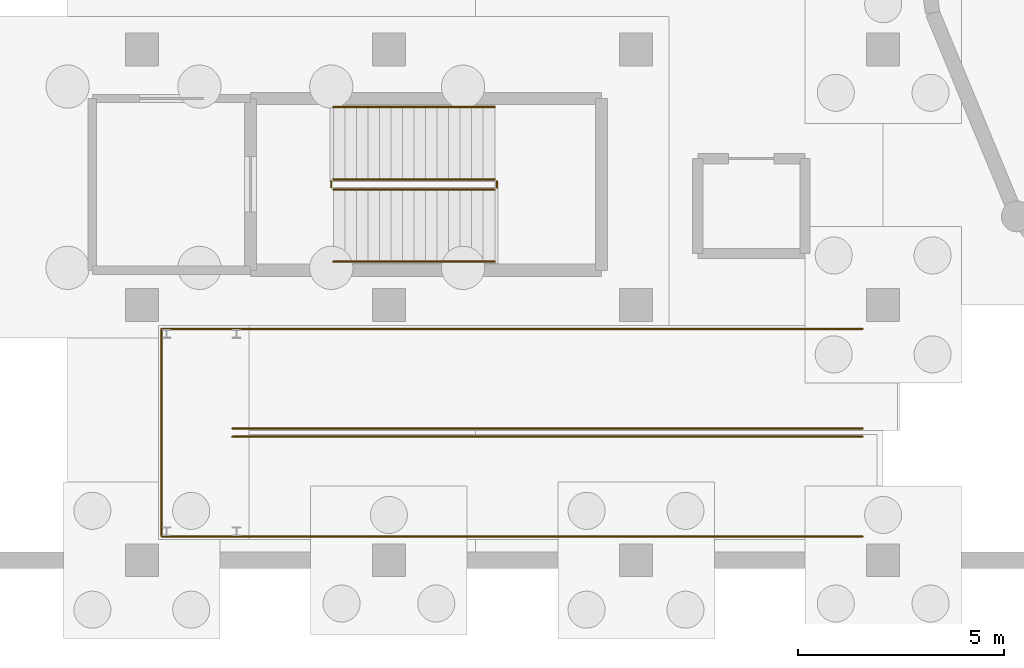
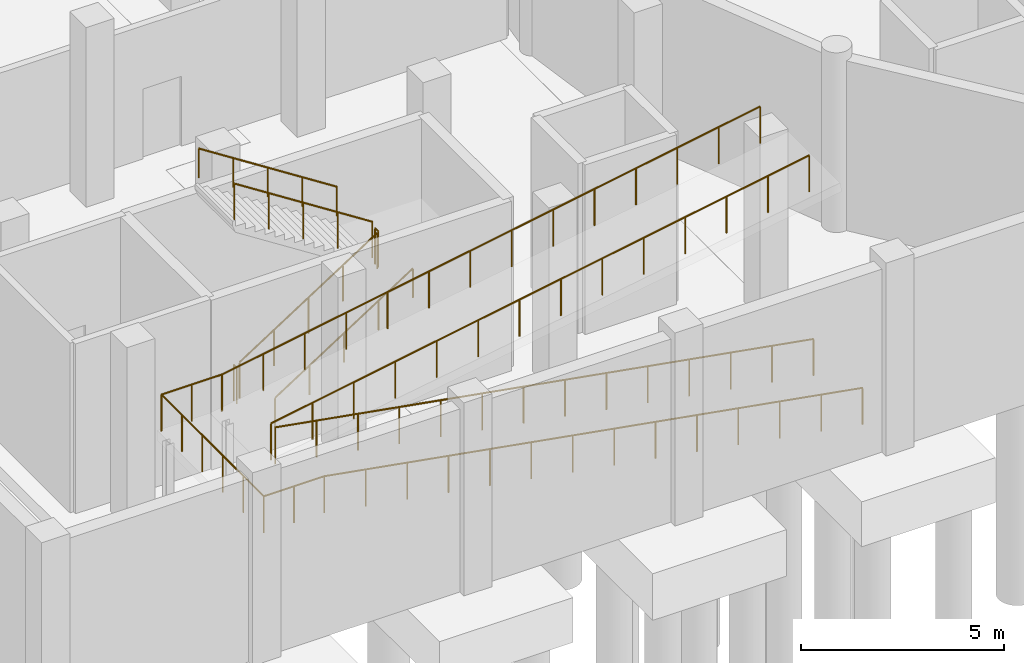
# One storey, part 17 of 19: 11 railings.
"""IFC4 building model written with IfcOpenShell, lengths in metres."""

from ifc_helpers import new_model, si_unit, direction, frame, origin, origin_2d, place, context, subcontext, project, spatial, circle, extrude, material, type_object, element, save


model = new_model("IFC4")

# Units and contexts
model_context = context("Model", 3, precision=1e-05, world=origin(), true_north=direction((0.0, 1.0)))
body_context = subcontext(model_context, "Body", "Model", "MODEL_VIEW")
ifc_project = project(units=[si_unit("LENGTHUNIT", "METRE"), si_unit("AREAUNIT", "SQUARE_METRE"), si_unit("VOLUMEUNIT", "CUBIC_METRE"), si_unit("PLANEANGLEUNIT", "RADIAN"), si_unit("MASSUNIT", "GRAM", prefix="KILO")], contexts=[model_context])

# Site, building, storey
site_placement = place(None, origin())
site = spatial("IfcSite", under=ifc_project, at=site_placement, CompositionType="ELEMENT")
building_placement = place(site_placement, origin())
building = spatial("IfcBuilding", under=site, at=building_placement, Name="Mirzam Square Science Centre", CompositionType="ELEMENT")
storey_placement = place(building_placement, frame((0.0, 0.0, -5.39990234375)))
storey = spatial("IfcBuildingStorey", under=building, at=storey_placement, Name="B01", CompositionType="ELEMENT", Elevation=-5.39990234375)

# Railings
ifc_material_1 = material(Name="Bronze-Anodised Architectural Balustrade", Category="aluminium")
railing_type_1 = type_object("IfcRailingType", Name="RL-INT-GUARD-1100", PredefinedType="GUARDRAIL", material=ifc_material_1)
railing_1_placement = place(storey_placement, frame((46.64990234375, 52.39990234375, 0.179931640625)))
element("IfcRailing", 1, at=railing_1_placement, inside=storey, type_object=railing_type_1, Name="B01 ST-01 stair guard 1", PredefinedType="GUARDRAIL", context=body_context, shape_type="SweptSolid", body=[
    extrude(circle(Radius=0.02392578125, at=origin_2d()), frame((0.0, 0.0, 1.076171875), z_axis=(0.841186985886, 0.0, 0.540744352514), x_axis=(0.0, 1.0, 0.0)), (0.0, 0.0, 1.0), 4.660400390625),
    extrude(circle(Radius=0.02099609375, at=origin_2d()), origin(), (0.0, 0.0, 1.0), 1.052001953125),
    extrude(circle(Radius=0.02099609375, at=origin_2d()), frame((0.97998046875, 0.0, 0.6298828125)), (0.0, 0.0, 1.0), 1.052001953125),
    extrude(circle(Radius=0.02099609375, at=origin_2d()), frame((1.9599609375, 0.0, 1.260009765625)), (0.0, 0.0, 1.0), 1.052001953125),
    extrude(circle(Radius=0.02099609375, at=origin_2d()), frame((2.940185546875, 0.0, 1.89013671875)), (0.0, 0.0, 1.0), 1.052001953125),
    extrude(circle(Radius=0.02099609375, at=origin_2d()), frame((3.920166015625, 0.0, 2.52001953125)), (0.0, 0.0, 1.0), 1.052001953125),
])
railing_2_placement = place(storey_placement, frame((50.6201171875, 52.449951171875, 2.699951171875)))
element("IfcRailing", 2, at=railing_2_placement, inside=storey, type_object=railing_type_1, Name="B01 ST-01 stair guard 2", PredefinedType="GUARDRAIL", context=body_context, shape_type="SweptSolid", body=[
    extrude(circle(Radius=0.02392578125, at=origin_2d()), frame((0.0, 0.0, 1.076171875), z_axis=(0.0, 1.0, 0.0), x_axis=(-1.0, 0.0, 0.0)), (0.0, 0.0, 1.0), 0.150146484375),
    extrude(circle(Radius=0.02099609375, at=origin_2d()), origin(), (0.0, 0.0, 1.0), 1.052001953125),
    extrude(circle(Radius=0.02099609375, at=origin_2d()), frame((0.0, 0.150146484375, 0.0)), (0.0, 0.0, 1.0), 1.052001953125),
])
railing_3_placement = place(storey_placement, frame((50.570068359375, 52.64990234375, 2.8798828125)))
element("IfcRailing", 3, at=railing_3_placement, inside=storey, type_object=railing_type_1, Name="B01 ST-01 stair guard 3", PredefinedType="GUARDRAIL", context=body_context, shape_type="SweptSolid", body=[
    extrude(circle(Radius=0.02392578125, at=origin_2d()), frame((0.0, 0.0, 1.076171875), z_axis=(-0.841186985886, 0.0, 0.540744352514), x_axis=(0.0, -1.0, 0.0)), (0.0, 0.0, 1.0), 4.660400390625),
    extrude(circle(Radius=0.02099609375, at=origin_2d()), origin(), (0.0, 0.0, 1.0), 1.052001953125),
    extrude(circle(Radius=0.02099609375, at=origin_2d()), frame((-0.97998046875, 0.0, 0.6298828125)), (0.0, 0.0, 1.0), 1.052001953125),
    extrude(circle(Radius=0.02099609375, at=origin_2d()), frame((-1.9599609375, 0.0, 1.260009765625)), (0.0, 0.0, 1.0), 1.052001953125),
    extrude(circle(Radius=0.02099609375, at=origin_2d()), frame((-2.940185546875, 0.0, 1.89013671875)), (0.0, 0.0, 1.0), 1.052001953125),
    extrude(circle(Radius=0.02099609375, at=origin_2d()), frame((-3.920166015625, 0.0, 2.52001953125)), (0.0, 0.0, 1.0), 1.052001953125),
])
railing_4_placement = place(storey_placement, frame((46.60009765625, 52.449951171875, 0.0)))
element("IfcRailing", 4, at=railing_4_placement, inside=storey, type_object=railing_type_1, Name="B01 ST-01 stair guard 4", PredefinedType="GUARDRAIL", context=body_context, shape_type="SweptSolid", body=[
    extrude(circle(Radius=0.02392578125, at=origin_2d()), frame((0.0, 0.0, 1.076171875), z_axis=(0.0, 1.0, 0.0), x_axis=(-1.0, 0.0, 0.0)), (0.0, 0.0, 1.0), 0.150146484375),
    extrude(circle(Radius=0.02099609375, at=origin_2d()), origin(), (0.0, 0.0, 1.0), 1.052001953125),
    extrude(circle(Radius=0.02099609375, at=origin_2d()), frame((0.0, 0.150146484375, 0.0)), (0.0, 0.0, 1.0), 1.052001953125),
])
railing_5_placement = place(storey_placement, frame((59.5, 43.97998046875, 0.0)))
element("IfcRailing", 5, at=railing_5_placement, inside=storey, type_object=railing_type_1, Name="B01 vehicle ramp lower flight south guard", PredefinedType="GUARDRAIL", context=body_context, shape_type="SweptSolid", body=[
    extrude(circle(Radius=0.02392578125, at=origin_2d()), frame((0.0, 0.0, 1.09619140625), z_axis=(-0.984784191592, 0.0, 0.17378174815), x_axis=(0.0, -1.0, 0.0)), (0.0, 0.0, 1.0), 15.536376953125),
    extrude(circle(Radius=0.02099609375, at=origin_2d()), origin(), (0.0, 0.0, 1.0), 1.072021484375),
    extrude(circle(Radius=0.02099609375, at=origin_2d()), frame((-1.177001953125, 0.0, 0.207763671875)), (0.0, 0.0, 1.0), 1.072021484375),
    extrude(circle(Radius=0.02099609375, at=origin_2d()), frame((-2.353759765625, 0.0, 0.415283203125)), (0.0, 0.0, 1.0), 1.072021484375),
    extrude(circle(Radius=0.02099609375, at=origin_2d()), frame((-3.53076171875, 0.0, 0.623046875)), (0.0, 0.0, 1.0), 1.072021484375),
    extrude(circle(Radius=0.02099609375, at=origin_2d()), frame((-4.707763671875, 0.0, 0.830810546875)), (0.0, 0.0, 1.0), 1.072021484375),
    extrude(circle(Radius=0.02099609375, at=origin_2d()), frame((-5.884521484375, 0.0, 1.038330078125)), (0.0, 0.0, 1.0), 1.072021484375),
    extrude(circle(Radius=0.02099609375, at=origin_2d()), frame((-7.0615234375, 0.0, 1.24609375)), (0.0, 0.0, 1.0), 1.072021484375),
    extrude(circle(Radius=0.02099609375, at=origin_2d()), frame((-8.238525390625, 0.0, 1.453857421875)), (0.0, 0.0, 1.0), 1.072021484375),
    extrude(circle(Radius=0.02099609375, at=origin_2d()), frame((-9.41552734375, 0.0, 1.66162109375)), (0.0, 0.0, 1.0), 1.072021484375),
    extrude(circle(Radius=0.02099609375, at=origin_2d()), frame((-10.59228515625, 0.0, 1.869140625)), (0.0, 0.0, 1.0), 1.072021484375),
    extrude(circle(Radius=0.02099609375, at=origin_2d()), frame((-11.769287109375, 0.0, 2.076904296875)), (0.0, 0.0, 1.0), 1.072021484375),
    extrude(circle(Radius=0.02099609375, at=origin_2d()), frame((-12.9462890625, 0.0, 2.28466796875)), (0.0, 0.0, 1.0), 1.072021484375),
    extrude(circle(Radius=0.02099609375, at=origin_2d()), frame((-14.123046875, 0.0, 2.4921875)), (0.0, 0.0, 1.0), 1.072021484375),
    extrude(circle(Radius=0.02099609375, at=origin_2d()), frame((-15.300048828125, 0.0, 2.699951171875)), (0.0, 0.0, 1.0), 1.072021484375),
])
railing_6_placement = place(storey_placement, frame((59.5, 46.39990234375, 0.0)))
element("IfcRailing", 6, at=railing_6_placement, inside=storey, type_object=railing_type_1, Name="B01 vehicle ramp lower flight north guard", PredefinedType="GUARDRAIL", context=body_context, shape_type="SweptSolid", body=[
    extrude(circle(Radius=0.02392578125, at=origin_2d()), frame((0.0, 0.0, 1.09619140625), z_axis=(-0.984784191592, 0.0, 0.17378174815), x_axis=(0.0, -1.0, 0.0)), (0.0, 0.0, 1.0), 15.536376953125),
    extrude(circle(Radius=0.02099609375, at=origin_2d()), origin(), (0.0, 0.0, 1.0), 1.072021484375),
    extrude(circle(Radius=0.02099609375, at=origin_2d()), frame((-1.177001953125, 0.0, 0.207763671875)), (0.0, 0.0, 1.0), 1.072021484375),
    extrude(circle(Radius=0.02099609375, at=origin_2d()), frame((-2.353759765625, 0.0, 0.415283203125)), (0.0, 0.0, 1.0), 1.072021484375),
    extrude(circle(Radius=0.02099609375, at=origin_2d()), frame((-3.53076171875, 0.0, 0.623046875)), (0.0, 0.0, 1.0), 1.072021484375),
    extrude(circle(Radius=0.02099609375, at=origin_2d()), frame((-4.707763671875, 0.0, 0.830810546875)), (0.0, 0.0, 1.0), 1.072021484375),
    extrude(circle(Radius=0.02099609375, at=origin_2d()), frame((-5.884521484375, 0.0, 1.038330078125)), (0.0, 0.0, 1.0), 1.072021484375),
    extrude(circle(Radius=0.02099609375, at=origin_2d()), frame((-7.0615234375, 0.0, 1.24609375)), (0.0, 0.0, 1.0), 1.072021484375),
    extrude(circle(Radius=0.02099609375, at=origin_2d()), frame((-8.238525390625, 0.0, 1.453857421875)), (0.0, 0.0, 1.0), 1.072021484375),
    extrude(circle(Radius=0.02099609375, at=origin_2d()), frame((-9.41552734375, 0.0, 1.66162109375)), (0.0, 0.0, 1.0), 1.072021484375),
    extrude(circle(Radius=0.02099609375, at=origin_2d()), frame((-10.59228515625, 0.0, 1.869140625)), (0.0, 0.0, 1.0), 1.072021484375),
    extrude(circle(Radius=0.02099609375, at=origin_2d()), frame((-11.769287109375, 0.0, 2.076904296875)), (0.0, 0.0, 1.0), 1.072021484375),
    extrude(circle(Radius=0.02099609375, at=origin_2d()), frame((-12.9462890625, 0.0, 2.28466796875)), (0.0, 0.0, 1.0), 1.072021484375),
    extrude(circle(Radius=0.02099609375, at=origin_2d()), frame((-14.123046875, 0.0, 2.4921875)), (0.0, 0.0, 1.0), 1.072021484375),
    extrude(circle(Radius=0.02099609375, at=origin_2d()), frame((-15.300048828125, 0.0, 2.699951171875)), (0.0, 0.0, 1.0), 1.072021484375),
])
railing_7_placement = place(storey_placement, frame((44.199951171875, 43.97998046875, 2.699951171875)))
element("IfcRailing", 7, at=railing_7_placement, inside=storey, type_object=railing_type_1, Name="B01 vehicle ramp mid-landing guard", PredefinedType="GUARDRAIL", context=body_context, shape_type="SweptSolid", body=[
    extrude(circle(Radius=0.02392578125, at=origin_2d()), frame((0.0, 0.0, 1.09619140625), z_axis=(-1.0, 0.0, 0.0), x_axis=(0.0, -1.0, 0.0)), (0.0, 0.0, 1.0), 1.719970703125),
    extrude(circle(Radius=0.02392578125, at=origin_2d()), frame((-1.719970703125, 0.0, 1.09619140625), z_axis=(0.0, 1.0, 0.0), x_axis=(-1.0, 0.0, 0.0)), (0.0, 0.0, 1.0), 5.0400390625),
    extrude(circle(Radius=0.02392578125, at=origin_2d()), frame((-1.719970703125, 5.0400390625, 1.09619140625), z_axis=(1.0, 0.0, 0.0), x_axis=(0.0, 1.0, 0.0)), (0.0, 0.0, 1.0), 1.719970703125),
    extrude(circle(Radius=0.02099609375, at=origin_2d()), origin(), (0.0, 0.0, 1.0), 1.072021484375),
    extrude(circle(Radius=0.02099609375, at=origin_2d()), frame((-0.85986328125, 0.0, 0.0)), (0.0, 0.0, 1.0), 1.072021484375),
    extrude(circle(Radius=0.02099609375, at=origin_2d()), frame((-1.719970703125, 0.0, 0.0)), (0.0, 0.0, 1.0), 1.072021484375),
    extrude(circle(Radius=0.02099609375, at=origin_2d()), frame((-1.719970703125, 1.008056640625, 0.0)), (0.0, 0.0, 1.0), 1.072021484375),
    extrude(circle(Radius=0.02099609375, at=origin_2d()), frame((-1.719970703125, 2.01611328125, 0.0)), (0.0, 0.0, 1.0), 1.072021484375),
    extrude(circle(Radius=0.02099609375, at=origin_2d()), frame((-1.719970703125, 3.02392578125, 0.0)), (0.0, 0.0, 1.0), 1.072021484375),
    extrude(circle(Radius=0.02099609375, at=origin_2d()), frame((-1.719970703125, 4.031982421875, 0.0)), (0.0, 0.0, 1.0), 1.072021484375),
    extrude(circle(Radius=0.02099609375, at=origin_2d()), frame((-1.719970703125, 5.0400390625, 0.0)), (0.0, 0.0, 1.0), 1.072021484375),
    extrude(circle(Radius=0.02099609375, at=origin_2d()), frame((-0.85986328125, 5.0400390625, 0.0)), (0.0, 0.0, 1.0), 1.072021484375),
    extrude(circle(Radius=0.02099609375, at=origin_2d()), frame((0.0, 5.0400390625, 0.0)), (0.0, 0.0, 1.0), 1.072021484375),
])
railing_8_placement = place(storey_placement, frame((44.199951171875, 46.60009765625, 2.699951171875)))
element("IfcRailing", 8, at=railing_8_placement, inside=storey, type_object=railing_type_1, Name="B01 vehicle ramp upper flight center guard", PredefinedType="GUARDRAIL", context=body_context, shape_type="SweptSolid", body=[
    extrude(circle(Radius=0.02392578125, at=origin_2d()), frame((0.0, 0.0, 1.09619140625), z_axis=(0.984784191592, 0.0, 0.17378174815), x_axis=(0.0, 1.0, 0.0)), (0.0, 0.0, 1.0), 15.536376953125),
    extrude(circle(Radius=0.02099609375, at=origin_2d()), origin(), (0.0, 0.0, 1.0), 1.072021484375),
    extrude(circle(Radius=0.02099609375, at=origin_2d()), frame((1.177001953125, 0.0, 0.207763671875)), (0.0, 0.0, 1.0), 1.072021484375),
    extrude(circle(Radius=0.02099609375, at=origin_2d()), frame((2.353759765625, 0.0, 0.415283203125)), (0.0, 0.0, 1.0), 1.072021484375),
    extrude(circle(Radius=0.02099609375, at=origin_2d()), frame((3.53076171875, 0.0, 0.623046875)), (0.0, 0.0, 1.0), 1.072021484375),
    extrude(circle(Radius=0.02099609375, at=origin_2d()), frame((4.707763671875, 0.0, 0.830810546875)), (0.0, 0.0, 1.0), 1.072021484375),
    extrude(circle(Radius=0.02099609375, at=origin_2d()), frame((5.884521484375, 0.0, 1.038330078125)), (0.0, 0.0, 1.0), 1.072021484375),
    extrude(circle(Radius=0.02099609375, at=origin_2d()), frame((7.0615234375, 0.0, 1.24609375)), (0.0, 0.0, 1.0), 1.072021484375),
    extrude(circle(Radius=0.02099609375, at=origin_2d()), frame((8.238525390625, 0.0, 1.453857421875)), (0.0, 0.0, 1.0), 1.072021484375),
    extrude(circle(Radius=0.02099609375, at=origin_2d()), frame((9.41552734375, 0.0, 1.66162109375)), (0.0, 0.0, 1.0), 1.072021484375),
    extrude(circle(Radius=0.02099609375, at=origin_2d()), frame((10.59228515625, 0.0, 1.869140625)), (0.0, 0.0, 1.0), 1.072021484375),
    extrude(circle(Radius=0.02099609375, at=origin_2d()), frame((11.769287109375, 0.0, 2.076904296875)), (0.0, 0.0, 1.0), 1.072021484375),
    extrude(circle(Radius=0.02099609375, at=origin_2d()), frame((12.9462890625, 0.0, 2.28466796875)), (0.0, 0.0, 1.0), 1.072021484375),
    extrude(circle(Radius=0.02099609375, at=origin_2d()), frame((14.123046875, 0.0, 2.4921875)), (0.0, 0.0, 1.0), 1.072021484375),
    extrude(circle(Radius=0.02099609375, at=origin_2d()), frame((15.300048828125, 0.0, 2.699951171875)), (0.0, 0.0, 1.0), 1.072021484375),
])
railing_9_placement = place(storey_placement, frame((44.199951171875, 49.02001953125, 2.699951171875)))
element("IfcRailing", 9, at=railing_9_placement, inside=storey, type_object=railing_type_1, Name="B01 vehicle ramp upper flight north guard", PredefinedType="GUARDRAIL", context=body_context, shape_type="SweptSolid", body=[
    extrude(circle(Radius=0.02392578125, at=origin_2d()), frame((0.0, 0.0, 1.09619140625), z_axis=(0.984784191592, 0.0, 0.17378174815), x_axis=(0.0, 1.0, 0.0)), (0.0, 0.0, 1.0), 15.536376953125),
    extrude(circle(Radius=0.02099609375, at=origin_2d()), origin(), (0.0, 0.0, 1.0), 1.072021484375),
    extrude(circle(Radius=0.02099609375, at=origin_2d()), frame((1.177001953125, 0.0, 0.207763671875)), (0.0, 0.0, 1.0), 1.072021484375),
    extrude(circle(Radius=0.02099609375, at=origin_2d()), frame((2.353759765625, 0.0, 0.415283203125)), (0.0, 0.0, 1.0), 1.072021484375),
    extrude(circle(Radius=0.02099609375, at=origin_2d()), frame((3.53076171875, 0.0, 0.623046875)), (0.0, 0.0, 1.0), 1.072021484375),
    extrude(circle(Radius=0.02099609375, at=origin_2d()), frame((4.707763671875, 0.0, 0.830810546875)), (0.0, 0.0, 1.0), 1.072021484375),
    extrude(circle(Radius=0.02099609375, at=origin_2d()), frame((5.884521484375, 0.0, 1.038330078125)), (0.0, 0.0, 1.0), 1.072021484375),
    extrude(circle(Radius=0.02099609375, at=origin_2d()), frame((7.0615234375, 0.0, 1.24609375)), (0.0, 0.0, 1.0), 1.072021484375),
    extrude(circle(Radius=0.02099609375, at=origin_2d()), frame((8.238525390625, 0.0, 1.453857421875)), (0.0, 0.0, 1.0), 1.072021484375),
    extrude(circle(Radius=0.02099609375, at=origin_2d()), frame((9.41552734375, 0.0, 1.66162109375)), (0.0, 0.0, 1.0), 1.072021484375),
    extrude(circle(Radius=0.02099609375, at=origin_2d()), frame((10.59228515625, 0.0, 1.869140625)), (0.0, 0.0, 1.0), 1.072021484375),
    extrude(circle(Radius=0.02099609375, at=origin_2d()), frame((11.769287109375, 0.0, 2.076904296875)), (0.0, 0.0, 1.0), 1.072021484375),
    extrude(circle(Radius=0.02099609375, at=origin_2d()), frame((12.9462890625, 0.0, 2.28466796875)), (0.0, 0.0, 1.0), 1.072021484375),
    extrude(circle(Radius=0.02099609375, at=origin_2d()), frame((14.123046875, 0.0, 2.4921875)), (0.0, 0.0, 1.0), 1.072021484375),
    extrude(circle(Radius=0.02099609375, at=origin_2d()), frame((15.300048828125, 0.0, 2.699951171875)), (0.0, 0.0, 1.0), 1.072021484375),
])
ifc_material_2 = material(Name="Brushed Bronze Tubular Handrail", Category="aluminium")
railing_type_2 = type_object("IfcRailingType", Name="RL-STAIR-HANDRAIL-900", PredefinedType="HANDRAIL", material=ifc_material_2)
railing_10_placement = place(storey_placement, frame((46.64990234375, 50.64990234375, 0.371826171875)))
element("IfcRailing", 10, at=railing_10_placement, inside=storey, type_object=railing_type_2, Name="B01 ST-01 stair handrail 1", PredefinedType="HANDRAIL", context=body_context, shape_type="SweptSolid", body=[
    extrude(circle(Radius=0.02392578125, at=origin_2d()), frame((0.0, 0.0, 0.8759765625), z_axis=(0.841186985886, 0.0, 0.540744352514), x_axis=(0.0, 1.0, 0.0)), (0.0, 0.0, 1.0), 4.660400390625),
    extrude(circle(Radius=0.02099609375, at=origin_2d()), origin(), (0.0, 0.0, 1.0), 0.851806640625),
    extrude(circle(Radius=0.02099609375, at=origin_2d()), frame((0.97998046875, 0.0, 0.6298828125)), (0.0, 0.0, 1.0), 0.851806640625),
    extrude(circle(Radius=0.02099609375, at=origin_2d()), frame((1.9599609375, 0.0, 1.260009765625)), (0.0, 0.0, 1.0), 0.851806640625),
    extrude(circle(Radius=0.02099609375, at=origin_2d()), frame((2.940185546875, 0.0, 1.89013671875)), (0.0, 0.0, 1.0), 0.851806640625),
    extrude(circle(Radius=0.02099609375, at=origin_2d()), frame((3.920166015625, 0.0, 2.52001953125)), (0.0, 0.0, 1.0), 0.851806640625),
])
railing_11_placement = place(storey_placement, frame((50.570068359375, 54.39990234375, 3.072021484375)))
element("IfcRailing", 11, at=railing_11_placement, inside=storey, type_object=railing_type_2, Name="B01 ST-01 stair handrail 2", PredefinedType="HANDRAIL", context=body_context, shape_type="SweptSolid", body=[
    extrude(circle(Radius=0.02392578125, at=origin_2d()), frame((0.0, 0.0, 0.8759765625), z_axis=(-0.841210815121, 0.0, 0.540707281738), x_axis=(0.0, -1.0, 0.0)), (0.0, 0.0, 1.0), 4.66015625),
    extrude(circle(Radius=0.02099609375, at=origin_2d()), origin(), (0.0, 0.0, 1.0), 0.851806640625),
    extrude(circle(Radius=0.02099609375, at=origin_2d()), frame((-0.97998046875, 0.0, 0.6298828125)), (0.0, 0.0, 1.0), 0.851806640625),
    extrude(circle(Radius=0.02099609375, at=origin_2d()), frame((-1.9599609375, 0.0, 1.259765625)), (0.0, 0.0, 1.0), 0.851806640625),
    extrude(circle(Radius=0.02099609375, at=origin_2d()), frame((-2.940185546875, 0.0, 1.889892578125)), (0.0, 0.0, 1.0), 0.851806640625),
    extrude(circle(Radius=0.02099609375, at=origin_2d()), frame((-3.920166015625, 0.0, 2.519775390625)), (0.0, 0.0, 1.0), 0.851806640625),
])

save(model, "model.ifc")
